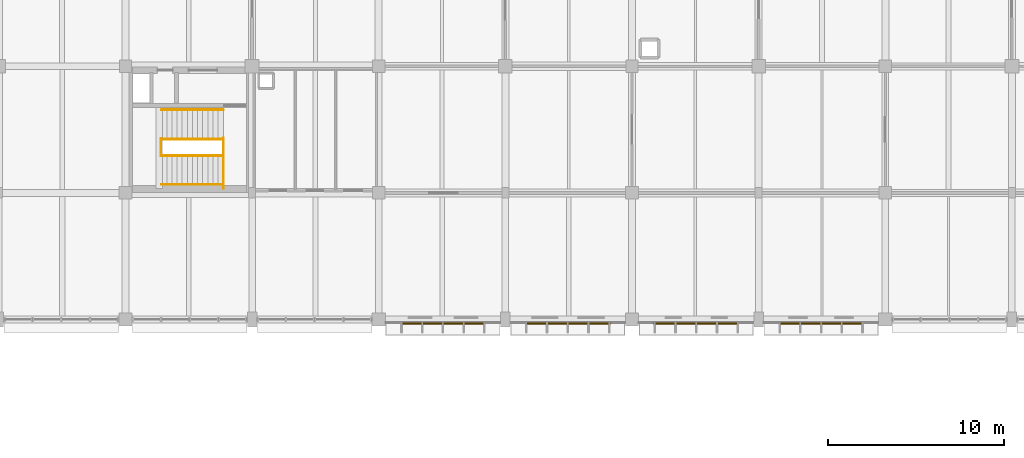
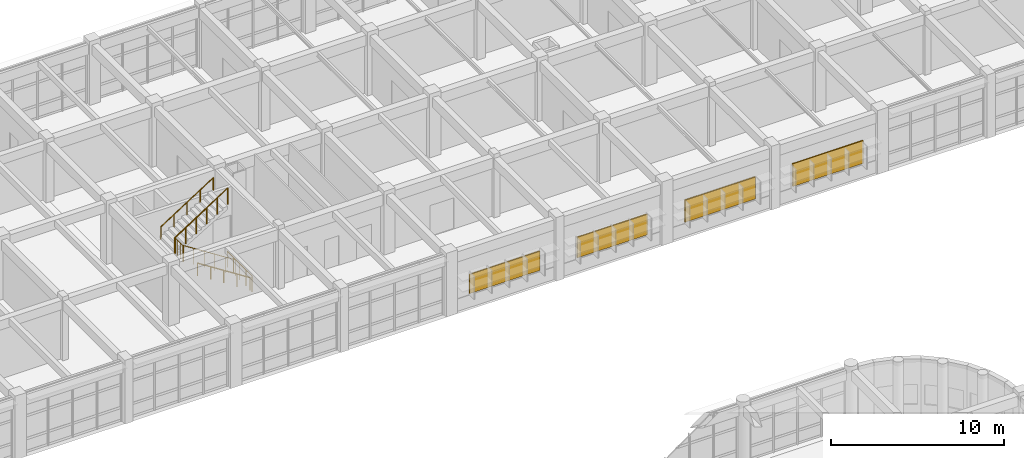
# One storey, part 169 of 171: 6 railings, 4 shading devices.
"""IFC4 building model written with IfcOpenShell, lengths in metres."""

import ifcopenshell
import ifcopenshell.guid

model = None  # the IFC model being written
_history = None  # IfcOwnerHistory: only IFC2X3 demands one
_inside = {}  # id of a spatial element -> (the spatial element, [elements in it])
_under = {}  # id of a project, library or spatial element -> (it, [spatial elements below it])
_declared = {}  # id of a project -> (the project, [libraries it declares])
_typed = {}  # id of a type object -> (the type object, [elements of that type])
_made_of = {}  # id of a material, layer set ... -> (it, [elements and type objects made of it])


def new_model(schema):
    """Start an empty IFC model of exactly this schema.

    Asked for "IFC4X3", IfcOpenShell would pick the latest addendum, in which some entities
    have other attributes; the version numbers below select the first issue.
    IFC2X3 requires an IfcOwnerHistory on every rooted entity: one is made here for all.
    """
    global model, _history
    if schema == "IFC4X3":
        model = ifcopenshell.file(schema_version=(4, 3, 0, 0))
    else:
        model = ifcopenshell.file(schema=schema)
    _inside.clear()
    _under.clear()
    _declared.clear()
    _typed.clear()
    _made_of.clear()
    _history = None
    if model.schema == "IFC2X3":
        org = make("IfcOrganization", Name="unknown")
        user = make(
            "IfcPersonAndOrganization",
            ThePerson=make("IfcPerson", FamilyName="unknown"),
            TheOrganization=org,
        )
        app = make(
            "IfcApplication",
            ApplicationDeveloper=org,
            Version="unknown",
            ApplicationFullName="unknown",
            ApplicationIdentifier="unknown",
        )
        _history = make(
            "IfcOwnerHistory",
            OwningUser=user,
            OwningApplication=app,
            ChangeAction="ADDED",
            CreationDate=0,
        )
    return model


def make(cls, **values):
    """One entity of the class cls with the attributes given. An attribute that is None is left unset."""
    return model.create_entity(
        cls, **{name: value for name, value in values.items() if value is not None}
    )


def rooted(cls, **values):
    """An entity with a GlobalId (a new one), such as an element, a storey or a relation."""
    return make(cls, GlobalId=ifcopenshell.guid.new(), OwnerHistory=_history, **values)


def si_unit(unit_type, name, prefix=None):
    """IfcSIUnit, for example si_unit("LENGTHUNIT", "METRE", prefix="MILLI")."""
    return make("IfcSIUnit", UnitType=unit_type, Prefix=prefix, Name=name)


def assignment(units):
    """IfcUnitAssignment: the units of a project."""
    return None if units is None else make("IfcUnitAssignment", Units=units)


def point(xyz):
    """IfcCartesianPoint."""
    return None if xyz is None else make("IfcCartesianPoint", Coordinates=xyz)


def direction(xyz):
    """IfcDirection."""
    return None if xyz is None else make("IfcDirection", DirectionRatios=xyz)


def frame(location, z_axis=None, x_axis=None):
    """IfcAxis2Placement3D, a coordinate frame: its origin and axes. An axis left out is left unset."""
    return make(
        "IfcAxis2Placement3D",
        Location=point(location),
        Axis=direction(z_axis),
        RefDirection=direction(x_axis),
    )


def frame_2d(location, x_axis=None):
    """IfcAxis2Placement2D, a coordinate frame in the plane: its origin and x axis."""
    return make(
        "IfcAxis2Placement2D", Location=point(location), RefDirection=direction(x_axis)
    )


def origin():
    """The frame at (0, 0, 0) with its axes left unset."""
    return frame((0.0, 0.0, 0.0))


def origin_2d():
    """The frame at (0, 0) in the plane with its x axis left unset."""
    return frame_2d((0.0, 0.0))


def place(relative_to, where):
    """IfcLocalPlacement: puts the frame where relative to a parent placement (None: the world)."""
    return make(
        "IfcLocalPlacement", PlacementRelTo=relative_to, RelativePlacement=where
    )


def context(
    kind, dimensions, precision=None, world=None, true_north=None, identifier=None
):
    """IfcGeometricRepresentationContext, for example the 3D "Model" context."""
    return make(
        "IfcGeometricRepresentationContext",
        ContextIdentifier=identifier,
        ContextType=kind,
        CoordinateSpaceDimension=dimensions,
        Precision=precision,
        WorldCoordinateSystem=world,
        TrueNorth=true_north,
    )


def subcontext(parent, identifier, kind, view, scale=None):
    """IfcGeometricRepresentationSubContext, for example "Body" below "Model"."""
    return make(
        "IfcGeometricRepresentationSubContext",
        ContextIdentifier=identifier,
        ContextType=kind,
        ParentContext=parent,
        TargetScale=scale,
        TargetView=view,
    )


def project(units=None, contexts=None):
    """IfcProject with its units and contexts."""
    return rooted(
        "IfcProject",
        Name="project",
        RepresentationContexts=contexts,
        UnitsInContext=assignment(units),
    )


def spatial(cls, under=None, at=None, **own):
    """A site, building, storey or space (cls), placed at a placement, below another one or the project."""
    s = rooted(cls, ObjectPlacement=at, **own)
    if under is not None:
        _under.setdefault(under.id(), (under, []))[1].append(s)
    return s


def profile(cls, at=None, kind="AREA", **sizes):
    """A parametric profile (cls). Its sizes go by their IFC names, for example OverallWidth=200.0."""
    return make(cls, ProfileType=kind, Position=at, **sizes)


def rectangle(**sizes):
    """IfcRectangleProfileDef."""
    return profile("IfcRectangleProfileDef", **sizes)


def circle(**sizes):
    """IfcCircleProfileDef."""
    return profile("IfcCircleProfileDef", **sizes)


def extrude(swept, where, along, depth):
    """IfcExtrudedAreaSolid: the profile swept, set in the frame where, extruded along a direction by depth."""
    return make(
        "IfcExtrudedAreaSolid",
        SweptArea=swept,
        Position=where,
        ExtrudedDirection=direction(along),
        Depth=depth,
    )


def shape(context_of_items, identifier, shape_type, items):
    """IfcShapeRepresentation: the items that make up one representation, for example the "Body"."""
    return make(
        "IfcShapeRepresentation",
        ContextOfItems=context_of_items,
        RepresentationIdentifier=identifier,
        RepresentationType=shape_type,
        Items=items,
    )


def material(Name=None, Category=None):
    """IfcMaterial."""
    return make("IfcMaterial", Name=Name, Category=Category)


def layer(
    of_material, thickness, ventilated=None, Name=None, Category=None, Priority=None
):
    """IfcMaterialLayer: one layer of a wall or slab, of a material (None: an air gap)."""
    return make(
        "IfcMaterialLayer",
        Material=of_material,
        LayerThickness=thickness,
        IsVentilated=ventilated,
        Name=Name,
        Category=Category,
        Priority=Priority,
    )


def layer_set(layers, Name=None):
    """IfcMaterialLayerSet."""
    return make("IfcMaterialLayerSet", MaterialLayers=layers, LayerSetName=Name)


def made_of(thing, what):
    """Note that an element or type object is made of a material, layer set ...; save() writes the relation."""
    if what is not None:
        _made_of.setdefault(what.id(), (what, []))[1].append(thing)
    return thing


def type_object(cls, material=None, **own):
    """A type object (cls), such as IfcWallType, which elements share."""
    return made_of(rooted(cls, **own), material)


def element(
    cls,
    number,
    at=None,
    inside=None,
    cuts=None,
    type_object=None,
    material=None,
    context=None,
    identifier="Body",
    shape_type=None,
    held_by="IfcProductDefinitionShape",
    body=None,
    shapes=None,
    **own,
):
    """One element of the class cls, such as IfcWall. Its Tag is "e" and its number.

    at: its placement. inside: the storey or other place that contains it. cuts: it is an
    opening in that element (IfcRelVoidsElement). A single representation is given by context,
    identifier, shape_type and body (its items); several are given by shapes. held_by: the class
    of the entity that holds the representations. save() writes the other relations.
    """
    e = rooted(cls, Tag="e%d" % number, ObjectPlacement=at, **own)
    if body is not None:
        shapes = [shape(context, identifier, shape_type, body)]
    if shapes is not None:
        e.Representation = make(held_by, Representations=shapes)
    if inside is not None:
        _inside.setdefault(inside.id(), (inside, []))[1].append(e)
    if cuts is not None:
        rooted(
            "IfcRelVoidsElement", RelatingBuildingElement=cuts, RelatedOpeningElement=e
        )
    if type_object is not None:
        _typed.setdefault(type_object.id(), (type_object, []))[1].append(e)
    return made_of(e, material)


def aggregate(whole, parts):
    """IfcRelAggregates: a whole, such as a stair, and the parts it consists of."""
    return rooted("IfcRelAggregates", RelatingObject=whole, RelatedObjects=parts)


def save(model, path):
    """Write the relations noted so far, then the file.

    IfcRelAggregates (storeys below a building ...), IfcRelContainedInSpatialStructure (elements
    in a storey), IfcRelDefinesByType, IfcRelAssociatesMaterial and IfcRelDeclares: one each for
    every whole, place, type object, material and project.
    """
    for whole, parts in _under.values():
        aggregate(whole, parts)
    for where, things in _inside.values():
        rooted(
            "IfcRelContainedInSpatialStructure",
            RelatedElements=things,
            RelatingStructure=where,
        )
    for kind, things in _typed.values():
        rooted("IfcRelDefinesByType", RelatedObjects=things, RelatingType=kind)
    for what, things in _made_of.values():
        rooted("IfcRelAssociatesMaterial", RelatedObjects=things, RelatingMaterial=what)
    for by, libraries in _declared.values():
        rooted("IfcRelDeclares", RelatingContext=by, RelatedDefinitions=libraries)
    model.write(path)


model = new_model("IFC4")

# Units and contexts
model_context = context("Model", 3, precision=1e-05, world=origin(), true_north=direction((0.0, 1.0)))
body_context = subcontext(model_context, "Body", "Model", "MODEL_VIEW")
ifc_project = project(units=[si_unit("LENGTHUNIT", "METRE"), si_unit("AREAUNIT", "SQUARE_METRE"), si_unit("VOLUMEUNIT", "CUBIC_METRE"), si_unit("PLANEANGLEUNIT", "RADIAN"), si_unit("MASSUNIT", "GRAM", prefix="KILO")], contexts=[model_context])

# Site, building, storey
site_placement = place(None, origin())
site = spatial("IfcSite", under=ifc_project, at=site_placement, CompositionType="ELEMENT")
building_placement = place(site_placement, origin())
building = spatial("IfcBuilding", under=site, at=building_placement, Name="Thalmaran Polytechnic", CompositionType="ELEMENT")
storey_placement = place(building_placement, frame((0.0, 0.0, 5.39990234375)))
storey = spatial("IfcBuildingStorey", under=building, at=storey_placement, Name="L01", CompositionType="ELEMENT", Elevation=5.39990234375)

# Railings
ifc_material_1 = material(Name="Stainless steel 316", Category="steel")
railing_type_1 = type_object("IfcRailingType", Name="RL-GR01", PredefinedType="GUARDRAIL", material=ifc_material_1)
railing_1_placement = place(storey_placement, frame((63.169921875, 101.050048828125, 0.0)))
element("IfcRailing", 1, at=railing_1_placement, inside=storey, type_object=railing_type_1, Name="ST6 L01 Landing Edge Guardrail", PredefinedType="GUARDRAIL", context=body_context, shape_type="SweptSolid", body=[
    extrude(circle(Radius=0.02392578125, at=origin_2d()), frame((0.0, 0.0, 1.1259765625), z_axis=(0.0, 1.0, 0.0), x_axis=(-1.0, 0.0, 0.0)), (0.0, 0.0, 1.0), 2.869873046875),
    extrude(circle(Radius=0.02099609375, at=origin_2d()), origin(), (0.0, 0.0, 1.0), 1.101806640625),
    extrude(circle(Radius=0.02099609375, at=origin_2d()), frame((0.0, 0.717529296875, 0.0)), (0.0, 0.0, 1.0), 1.101806640625),
    extrude(circle(Radius=0.02099609375, at=origin_2d()), frame((0.0, 1.43505859375, 0.0)), (0.0, 0.0, 1.0), 1.101806640625),
    extrude(circle(Radius=0.02099609375, at=origin_2d()), frame((0.0, 2.15234375, 0.0)), (0.0, 0.0, 1.0), 1.101806640625),
    extrude(circle(Radius=0.02099609375, at=origin_2d()), frame((0.0, 2.869873046875, 0.0)), (0.0, 0.0, 1.0), 1.101806640625),
])
railing_2_placement = place(storey_placement, frame((63.159912109375, 102.919921875, 0.0)))
element("IfcRailing", 2, at=railing_2_placement, inside=storey, type_object=railing_type_1, Name="ST6 L01 Lower Flight Guardrail", PredefinedType="GUARDRAIL", context=body_context, shape_type="SweptSolid", body=[
    extrude(circle(Radius=0.02392578125, at=origin_2d()), frame((0.0, 0.0, 1.1259765625), z_axis=(-0.841178475377, 0.0, 0.540757591313), x_axis=(0.0, -1.0, 0.0)), (0.0, 0.0, 1.0), 4.160888671875),
    extrude(circle(Radius=0.02099609375, at=origin_2d()), origin(), (0.0, 0.0, 1.0), 1.101806640625),
    extrude(circle(Radius=0.02099609375, at=origin_2d()), frame((-0.699951171875, 0.0, 0.449951171875)), (0.0, 0.0, 1.0), 1.101806640625),
    extrude(circle(Radius=0.02099609375, at=origin_2d()), frame((-1.39990234375, 0.0, 0.89990234375)), (0.0, 0.0, 1.0), 1.101806640625),
    extrude(circle(Radius=0.02099609375, at=origin_2d()), frame((-2.10009765625, 0.0, 1.35009765625)), (0.0, 0.0, 1.0), 1.101806640625),
    extrude(circle(Radius=0.02099609375, at=origin_2d()), frame((-2.800048828125, 0.0, 1.800048828125)), (0.0, 0.0, 1.0), 1.101806640625),
    extrude(circle(Radius=0.02099609375, at=origin_2d()), frame((-3.5, 0.0, 2.25)), (0.0, 0.0, 1.0), 1.101806640625),
])
railing_3_placement = place(storey_placement, frame((59.6201171875, 102.89990234375, 2.25)))
element("IfcRailing", 3, at=railing_3_placement, inside=storey, type_object=railing_type_1, Name="ST6 L01 Half-Landing Well Guardrail", PredefinedType="GUARDRAIL", context=body_context, shape_type="SweptSolid", body=[
    extrude(circle(Radius=0.02392578125, at=origin_2d()), frame((0.0, 0.0, 1.1259765625), z_axis=(0.0, 1.0, 0.0), x_axis=(-1.0, 0.0, 0.0)), (0.0, 0.0, 1.0), 0.97998046875),
    extrude(circle(Radius=0.02099609375, at=origin_2d()), origin(), (0.0, 0.0, 1.0), 1.101806640625),
    extrude(circle(Radius=0.02099609375, at=origin_2d()), frame((0.0, 0.32666015625, 0.0)), (0.0, 0.0, 1.0), 1.101806640625),
    extrude(circle(Radius=0.02099609375, at=origin_2d()), frame((0.0, 0.6533203125, 0.0)), (0.0, 0.0, 1.0), 1.101806640625),
    extrude(circle(Radius=0.02099609375, at=origin_2d()), frame((0.0, 0.97998046875, 0.0)), (0.0, 0.0, 1.0), 1.101806640625),
])
railing_4_placement = place(storey_placement, frame((59.659912109375, 103.860107421875, 2.25)))
element("IfcRailing", 4, at=railing_4_placement, inside=storey, type_object=railing_type_1, Name="ST6 L01 Upper Flight Guardrail", PredefinedType="GUARDRAIL", context=body_context, shape_type="SweptSolid", body=[
    extrude(circle(Radius=0.02392578125, at=origin_2d()), frame((0.0, 0.0, 1.1259765625), z_axis=(0.841178475377, 0.0, 0.540757591313), x_axis=(0.0, 1.0, 0.0)), (0.0, 0.0, 1.0), 4.160888671875),
    extrude(circle(Radius=0.02099609375, at=origin_2d()), origin(), (0.0, 0.0, 1.0), 1.101806640625),
    extrude(circle(Radius=0.02099609375, at=origin_2d()), frame((0.699951171875, 0.0, 0.449951171875)), (0.0, 0.0, 1.0), 1.101806640625),
    extrude(circle(Radius=0.02099609375, at=origin_2d()), frame((1.39990234375, 0.0, 0.89990234375)), (0.0, 0.0, 1.0), 1.101806640625),
    extrude(circle(Radius=0.02099609375, at=origin_2d()), frame((2.10009765625, 0.0, 1.35009765625)), (0.0, 0.0, 1.0), 1.101806640625),
    extrude(circle(Radius=0.02099609375, at=origin_2d()), frame((2.800048828125, 0.0, 1.800048828125)), (0.0, 0.0, 1.0), 1.101806640625),
    extrude(circle(Radius=0.02099609375, at=origin_2d()), frame((3.5, 0.0, 2.25)), (0.0, 0.0, 1.0), 1.101806640625),
])
railing_type_2 = type_object("IfcRailingType", Name="RL-HR01", PredefinedType="HANDRAIL", material=ifc_material_1)
railing_5_placement = place(storey_placement, frame((63.159912109375, 101.280029296875, 0.0)))
element("IfcRailing", 5, at=railing_5_placement, inside=storey, type_object=railing_type_2, Name="ST6 L01 Flight 1 Handrail", PredefinedType="HANDRAIL", context=body_context, shape_type="SweptSolid", body=[
    extrude(circle(Radius=0.02392578125, at=origin_2d()), frame((0.0, 0.0, 0.8759765625), z_axis=(-0.841178475377, 0.0, 0.540757591313), x_axis=(0.0, -1.0, 0.0)), (0.0, 0.0, 1.0), 4.160888671875),
    extrude(circle(Radius=0.02099609375, at=origin_2d()), origin(), (0.0, 0.0, 1.0), 0.851806640625),
    extrude(circle(Radius=0.02099609375, at=origin_2d()), frame((-0.875, 0.0, 0.5625)), (0.0, 0.0, 1.0), 0.851806640625),
    extrude(circle(Radius=0.02099609375, at=origin_2d()), frame((-1.75, 0.0, 1.125)), (0.0, 0.0, 1.0), 0.851806640625),
    extrude(circle(Radius=0.02099609375, at=origin_2d()), frame((-2.625, 0.0, 1.6875)), (0.0, 0.0, 1.0), 0.851806640625),
    extrude(circle(Radius=0.02099609375, at=origin_2d()), frame((-3.5, 0.0, 2.25)), (0.0, 0.0, 1.0), 0.851806640625),
])
railing_6_placement = place(storey_placement, frame((59.659912109375, 105.52001953125, 2.25)))
element("IfcRailing", 6, at=railing_6_placement, inside=storey, type_object=railing_type_2, Name="ST6 L01 Flight 2 Handrail", PredefinedType="HANDRAIL", context=body_context, shape_type="SweptSolid", body=[
    extrude(circle(Radius=0.02392578125, at=origin_2d()), frame((0.0, 0.0, 0.8759765625), z_axis=(0.841178475377, 0.0, 0.540757591313), x_axis=(0.0, 1.0, 0.0)), (0.0, 0.0, 1.0), 4.160888671875),
    extrude(circle(Radius=0.02099609375, at=origin_2d()), origin(), (0.0, 0.0, 1.0), 0.851806640625),
    extrude(circle(Radius=0.02099609375, at=origin_2d()), frame((0.875, 0.0, 0.5625)), (0.0, 0.0, 1.0), 0.851806640625),
    extrude(circle(Radius=0.02099609375, at=origin_2d()), frame((1.75, 0.0, 1.125)), (0.0, 0.0, 1.0), 0.851806640625),
    extrude(circle(Radius=0.02099609375, at=origin_2d()), frame((2.625, 0.0, 1.6875)), (0.0, 0.0, 1.0), 0.851806640625),
    extrude(circle(Radius=0.02099609375, at=origin_2d()), frame((3.5, 0.0, 2.25)), (0.0, 0.0, 1.0), 0.851806640625),
])

# Shading devices
ifc_material_2 = material(Name="Perforated anodised-bronze aluminium screen", Category="aluminium")
ifc_layer = layer(ifc_material_2, 0.080078125, Name="Perforated anodised-bronze aluminium screen")
ifc_layer_set = layer_set([ifc_layer], Name="Perforated anodised-bronze aluminium screen")
shading_device_type = type_object("IfcShadingDeviceType", Name="SH-JL01", PredefinedType="JALOUSIE", material=ifc_layer_set)
shading_device_1_placement = place(storey_placement, frame((97.199951171875, 93.3798828125, 1.025146484375), z_axis=(0.0, 0.0, 1.0), x_axis=(-1.0, 0.0, 0.0)))
element("IfcShadingDevice", 7, at=shading_device_1_placement, inside=storey, type_object=shading_device_type, Name="Anodised-Bronze Mashrabiya Solar Screen L01-209", PredefinedType="JALOUSIE", context=body_context, shape_type="SweptSolid", body=[
    extrude(rectangle(XDim=4.716064453125, YDim=0.080078125, at=origin_2d()), origin(), (0.0, 0.0, 1.0), 1.60009765625),
])
shading_device_2_placement = place(storey_placement, frame((90.0, 93.3798828125, 1.02490234375), z_axis=(0.0, 0.0, 1.0), x_axis=(-1.0, 0.0, 0.0)))
element("IfcShadingDevice", 8, at=shading_device_2_placement, inside=storey, type_object=shading_device_type, Name="Anodised-Bronze Mashrabiya Solar Screen L01-210", PredefinedType="JALOUSIE", context=body_context, shape_type="SweptSolid", body=[
    extrude(rectangle(XDim=4.716064453125, YDim=0.080078125, at=origin_2d()), origin(), (0.0, 0.0, 1.0), 1.550048828125),
])
shading_device_3_placement = place(storey_placement, frame((82.800048828125, 93.3798828125, 1.02490234375), z_axis=(0.0, 0.0, 1.0), x_axis=(-1.0, 0.0, 0.0)))
element("IfcShadingDevice", 9, at=shading_device_3_placement, inside=storey, type_object=shading_device_type, Name="Anodised-Bronze Mashrabiya Solar Screen L01-211", PredefinedType="JALOUSIE", context=body_context, shape_type="SweptSolid", body=[
    extrude(rectangle(XDim=4.716064453125, YDim=0.080078125, at=origin_2d()), origin(), (0.0, 0.0, 1.0), 1.449951171875),
])
shading_device_4_placement = place(storey_placement, frame((75.60009765625, 93.3798828125, 1.025146484375), z_axis=(0.0, 0.0, 1.0), x_axis=(-1.0, 0.0, 0.0)))
element("IfcShadingDevice", 10, at=shading_device_4_placement, inside=storey, type_object=shading_device_type, Name="Anodised-Bronze Mashrabiya Solar Screen L01-212", PredefinedType="JALOUSIE", context=body_context, shape_type="SweptSolid", body=[
    extrude(rectangle(XDim=4.716064453125, YDim=0.080078125, at=origin_2d()), origin(), (0.0, 0.0, 1.0), 1.35009765625),
])

save(model, "model.ifc")
